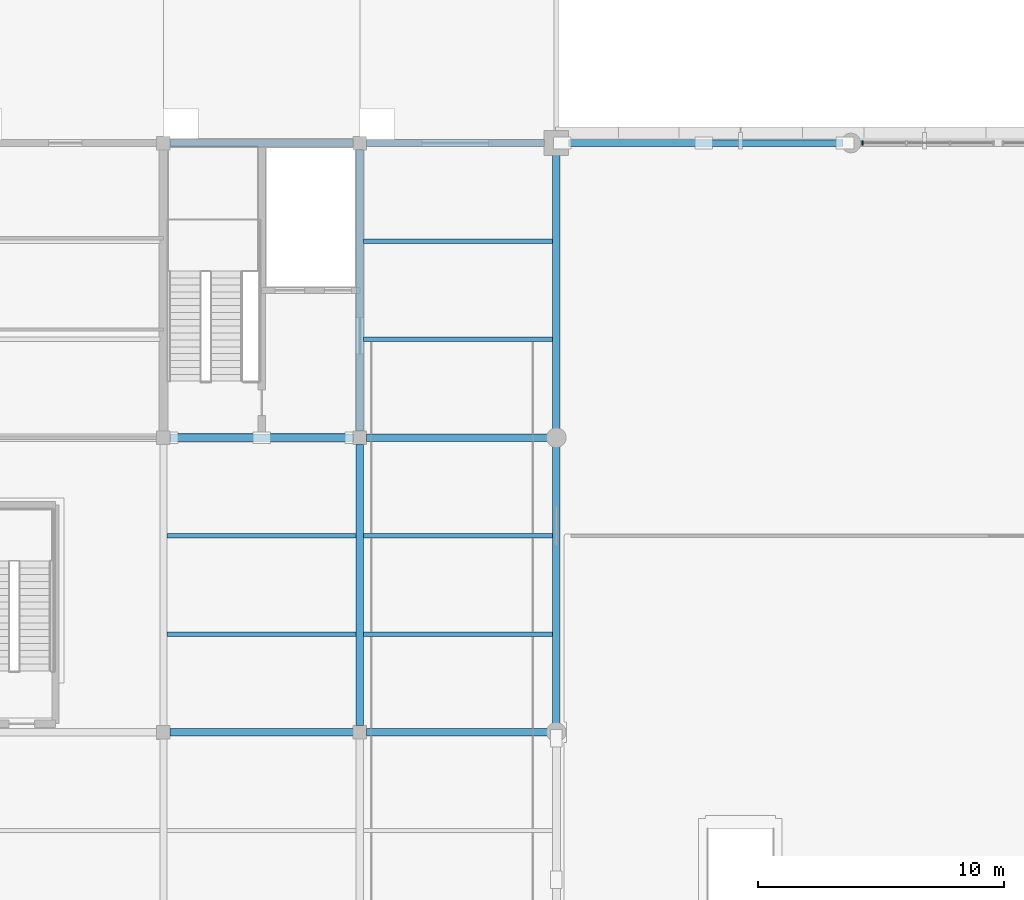
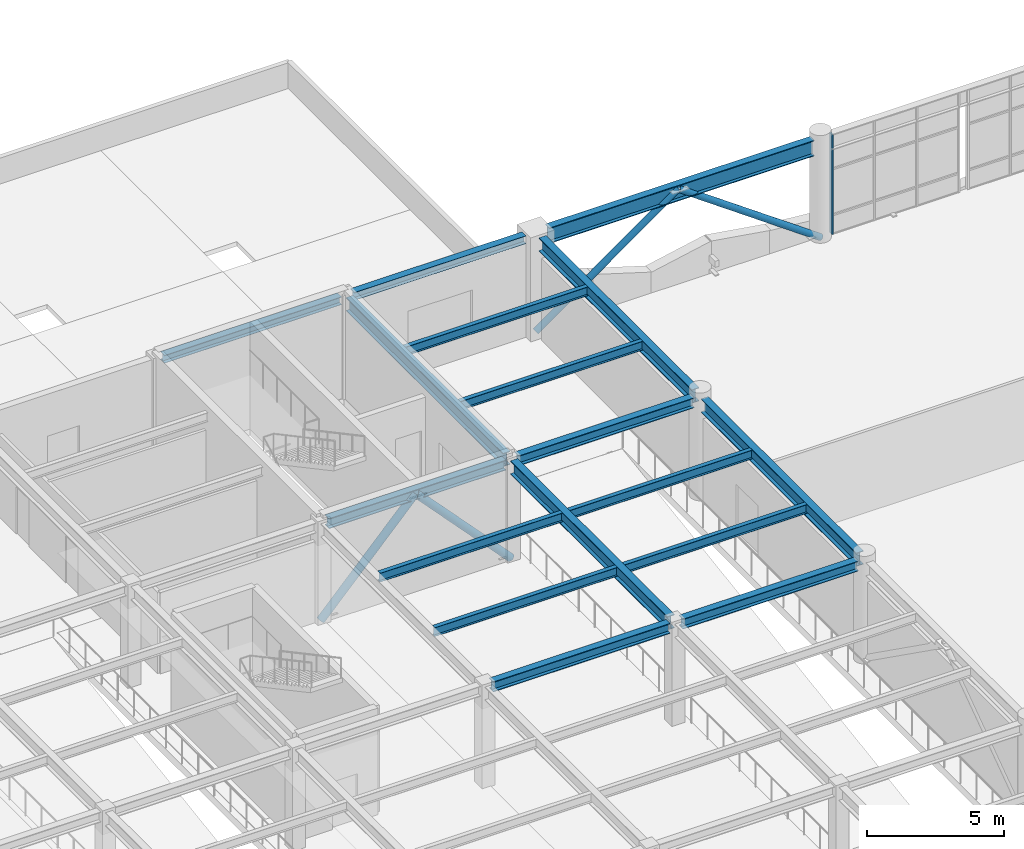
# One storey, part 21 of 72: 17 beams, 5 members, 1 element without a shape of its own.
"""IFC4 building model written with IfcOpenShell, lengths in metres."""

import ifcopenshell
import ifcopenshell.guid

model = None  # the IFC model being written
_history = None  # IfcOwnerHistory: only IFC2X3 demands one
_inside = {}  # id of a spatial element -> (the spatial element, [elements in it])
_under = {}  # id of a project, library or spatial element -> (it, [spatial elements below it])
_declared = {}  # id of a project -> (the project, [libraries it declares])
_typed = {}  # id of a type object -> (the type object, [elements of that type])
_made_of = {}  # id of a material, layer set ... -> (it, [elements and type objects made of it])


def new_model(schema):
    """Start an empty IFC model of exactly this schema.

    Asked for "IFC4X3", IfcOpenShell would pick the latest addendum, in which some entities
    have other attributes; the version numbers below select the first issue.
    IFC2X3 requires an IfcOwnerHistory on every rooted entity: one is made here for all.
    """
    global model, _history
    if schema == "IFC4X3":
        model = ifcopenshell.file(schema_version=(4, 3, 0, 0))
    else:
        model = ifcopenshell.file(schema=schema)
    _inside.clear()
    _under.clear()
    _declared.clear()
    _typed.clear()
    _made_of.clear()
    _history = None
    if model.schema == "IFC2X3":
        org = make("IfcOrganization", Name="unknown")
        user = make(
            "IfcPersonAndOrganization",
            ThePerson=make("IfcPerson", FamilyName="unknown"),
            TheOrganization=org,
        )
        app = make(
            "IfcApplication",
            ApplicationDeveloper=org,
            Version="unknown",
            ApplicationFullName="unknown",
            ApplicationIdentifier="unknown",
        )
        _history = make(
            "IfcOwnerHistory",
            OwningUser=user,
            OwningApplication=app,
            ChangeAction="ADDED",
            CreationDate=0,
        )
    return model


def make(cls, **values):
    """One entity of the class cls with the attributes given. An attribute that is None is left unset."""
    return model.create_entity(
        cls, **{name: value for name, value in values.items() if value is not None}
    )


def rooted(cls, **values):
    """An entity with a GlobalId (a new one), such as an element, a storey or a relation."""
    return make(cls, GlobalId=ifcopenshell.guid.new(), OwnerHistory=_history, **values)


def si_unit(unit_type, name, prefix=None):
    """IfcSIUnit, for example si_unit("LENGTHUNIT", "METRE", prefix="MILLI")."""
    return make("IfcSIUnit", UnitType=unit_type, Prefix=prefix, Name=name)


def assignment(units):
    """IfcUnitAssignment: the units of a project."""
    return None if units is None else make("IfcUnitAssignment", Units=units)


def point(xyz):
    """IfcCartesianPoint."""
    return None if xyz is None else make("IfcCartesianPoint", Coordinates=xyz)


def direction(xyz):
    """IfcDirection."""
    return None if xyz is None else make("IfcDirection", DirectionRatios=xyz)


def frame(location, z_axis=None, x_axis=None):
    """IfcAxis2Placement3D, a coordinate frame: its origin and axes. An axis left out is left unset."""
    return make(
        "IfcAxis2Placement3D",
        Location=point(location),
        Axis=direction(z_axis),
        RefDirection=direction(x_axis),
    )


def frame_2d(location, x_axis=None):
    """IfcAxis2Placement2D, a coordinate frame in the plane: its origin and x axis."""
    return make(
        "IfcAxis2Placement2D", Location=point(location), RefDirection=direction(x_axis)
    )


def origin():
    """The frame at (0, 0, 0) with its axes left unset."""
    return frame((0.0, 0.0, 0.0))


def origin_2d():
    """The frame at (0, 0) in the plane with its x axis left unset."""
    return frame_2d((0.0, 0.0))


def place(relative_to, where):
    """IfcLocalPlacement: puts the frame where relative to a parent placement (None: the world)."""
    return make(
        "IfcLocalPlacement", PlacementRelTo=relative_to, RelativePlacement=where
    )


def context(
    kind, dimensions, precision=None, world=None, true_north=None, identifier=None
):
    """IfcGeometricRepresentationContext, for example the 3D "Model" context."""
    return make(
        "IfcGeometricRepresentationContext",
        ContextIdentifier=identifier,
        ContextType=kind,
        CoordinateSpaceDimension=dimensions,
        Precision=precision,
        WorldCoordinateSystem=world,
        TrueNorth=true_north,
    )


def subcontext(parent, identifier, kind, view, scale=None):
    """IfcGeometricRepresentationSubContext, for example "Body" below "Model"."""
    return make(
        "IfcGeometricRepresentationSubContext",
        ContextIdentifier=identifier,
        ContextType=kind,
        ParentContext=parent,
        TargetScale=scale,
        TargetView=view,
    )


def project(units=None, contexts=None):
    """IfcProject with its units and contexts."""
    return rooted(
        "IfcProject",
        Name="project",
        RepresentationContexts=contexts,
        UnitsInContext=assignment(units),
    )


def spatial(cls, under=None, at=None, **own):
    """A site, building, storey or space (cls), placed at a placement, below another one or the project."""
    s = rooted(cls, ObjectPlacement=at, **own)
    if under is not None:
        _under.setdefault(under.id(), (under, []))[1].append(s)
    return s


def profile(cls, at=None, kind="AREA", **sizes):
    """A parametric profile (cls). Its sizes go by their IFC names, for example OverallWidth=200.0."""
    return make(cls, ProfileType=kind, Position=at, **sizes)


def rectangle(**sizes):
    """IfcRectangleProfileDef."""
    return profile("IfcRectangleProfileDef", **sizes)


def hollow_circle(**sizes):
    """IfcCircleHollowProfileDef."""
    return profile("IfcCircleHollowProfileDef", **sizes)


def i_section(**sizes):
    """IfcIShapeProfileDef."""
    return profile("IfcIShapeProfileDef", **sizes)


def extrude(swept, where, along, depth):
    """IfcExtrudedAreaSolid: the profile swept, set in the frame where, extruded along a direction by depth."""
    return make(
        "IfcExtrudedAreaSolid",
        SweptArea=swept,
        Position=where,
        ExtrudedDirection=direction(along),
        Depth=depth,
    )


def shape(context_of_items, identifier, shape_type, items):
    """IfcShapeRepresentation: the items that make up one representation, for example the "Body"."""
    return make(
        "IfcShapeRepresentation",
        ContextOfItems=context_of_items,
        RepresentationIdentifier=identifier,
        RepresentationType=shape_type,
        Items=items,
    )


def material(Name=None, Category=None):
    """IfcMaterial."""
    return make("IfcMaterial", Name=Name, Category=Category)


def layer(
    of_material, thickness, ventilated=None, Name=None, Category=None, Priority=None
):
    """IfcMaterialLayer: one layer of a wall or slab, of a material (None: an air gap)."""
    return make(
        "IfcMaterialLayer",
        Material=of_material,
        LayerThickness=thickness,
        IsVentilated=ventilated,
        Name=Name,
        Category=Category,
        Priority=Priority,
    )


def layer_set(layers, Name=None):
    """IfcMaterialLayerSet."""
    return make("IfcMaterialLayerSet", MaterialLayers=layers, LayerSetName=Name)


def material_profile(
    of_material, cross_section, Name=None, Category=None, Priority=None
):
    """IfcMaterialProfile: a cross section and its material."""
    return make(
        "IfcMaterialProfile",
        Name=Name,
        Material=of_material,
        Profile=cross_section,
        Priority=Priority,
        Category=Category,
    )


def profile_set(profiles, Name=None, composite=None):
    """IfcMaterialProfileSet."""
    return make(
        "IfcMaterialProfileSet",
        Name=Name,
        MaterialProfiles=profiles,
        CompositeProfile=composite,
    )


def made_of(thing, what):
    """Note that an element or type object is made of a material, layer set ...; save() writes the relation."""
    if what is not None:
        _made_of.setdefault(what.id(), (what, []))[1].append(thing)
    return thing


def type_object(cls, material=None, **own):
    """A type object (cls), such as IfcWallType, which elements share."""
    return made_of(rooted(cls, **own), material)


def element(
    cls,
    number,
    at=None,
    inside=None,
    cuts=None,
    type_object=None,
    material=None,
    context=None,
    identifier="Body",
    shape_type=None,
    held_by="IfcProductDefinitionShape",
    body=None,
    shapes=None,
    **own,
):
    """One element of the class cls, such as IfcWall. Its Tag is "e" and its number.

    at: its placement. inside: the storey or other place that contains it. cuts: it is an
    opening in that element (IfcRelVoidsElement). A single representation is given by context,
    identifier, shape_type and body (its items); several are given by shapes. held_by: the class
    of the entity that holds the representations. save() writes the other relations.
    """
    e = rooted(cls, Tag="e%d" % number, ObjectPlacement=at, **own)
    if body is not None:
        shapes = [shape(context, identifier, shape_type, body)]
    if shapes is not None:
        e.Representation = make(held_by, Representations=shapes)
    if inside is not None:
        _inside.setdefault(inside.id(), (inside, []))[1].append(e)
    if cuts is not None:
        rooted(
            "IfcRelVoidsElement", RelatingBuildingElement=cuts, RelatedOpeningElement=e
        )
    if type_object is not None:
        _typed.setdefault(type_object.id(), (type_object, []))[1].append(e)
    return made_of(e, material)


def aggregate(whole, parts):
    """IfcRelAggregates: a whole, such as a stair, and the parts it consists of."""
    return rooted("IfcRelAggregates", RelatingObject=whole, RelatedObjects=parts)


def save(model, path):
    """Write the relations noted so far, then the file.

    IfcRelAggregates (storeys below a building ...), IfcRelContainedInSpatialStructure (elements
    in a storey), IfcRelDefinesByType, IfcRelAssociatesMaterial and IfcRelDeclares: one each for
    every whole, place, type object, material and project.
    """
    for whole, parts in _under.values():
        aggregate(whole, parts)
    for where, things in _inside.values():
        rooted(
            "IfcRelContainedInSpatialStructure",
            RelatedElements=things,
            RelatingStructure=where,
        )
    for kind, things in _typed.values():
        rooted("IfcRelDefinesByType", RelatedObjects=things, RelatingType=kind)
    for what, things in _made_of.values():
        rooted("IfcRelAssociatesMaterial", RelatedObjects=things, RelatingMaterial=what)
    for by, libraries in _declared.values():
        rooted("IfcRelDeclares", RelatingContext=by, RelatedDefinitions=libraries)
    model.write(path)


model = new_model("IFC4")

# Units and contexts
model_context = context("Model", 3, precision=1e-05, world=origin(), true_north=direction((0.0, 1.0)))
body_context = subcontext(model_context, "Body", "Model", "MODEL_VIEW")
ifc_project = project(units=[si_unit("LENGTHUNIT", "METRE"), si_unit("AREAUNIT", "SQUARE_METRE"), si_unit("VOLUMEUNIT", "CUBIC_METRE"), si_unit("PLANEANGLEUNIT", "RADIAN"), si_unit("MASSUNIT", "GRAM", prefix="KILO")], contexts=[model_context])

# Site, building, storey
site_placement = place(None, origin())
site = spatial("IfcSite", under=ifc_project, at=site_placement, CompositionType="ELEMENT")
building_placement = place(site_placement, origin())
building = spatial("IfcBuilding", under=site, at=building_placement, Name="Keelwater Ferry Terminal", CompositionType="ELEMENT")
storey_placement = place(building_placement, frame((0.0, 0.0, 5.39990234375)))
storey = spatial("IfcBuildingStorey", under=building, at=storey_placement, Name="L01", CompositionType="ELEMENT", Elevation=5.39990234375)

# Members
ifc_material_1 = material(Name="Steel S355", Category="steel")
ifc_material_profile_1 = material_profile(ifc_material_1, hollow_circle(Radius=0.161865234375, WallThickness=0.012451171875, at=origin_2d()), Name="CHS 323.9x12.5")
ifc_profile_set_1 = profile_set([ifc_material_profile_1], Name="Steel S355")
member_type_1 = type_object("IfcMemberType", Name="BR1 CHS 323.9x12.5", PredefinedType="BRACE", material=ifc_profile_set_1)
for number, where, z_axis, x_axis, name in (
    (1, (32.0, 78.0, 0.0), (0.683655146647, 0.0, 0.729805207205), (0.0, 1.0, 0.0), "Structural Member MB-L01-0539"),
    (2, (40.0, 78.0, 0.0), (-0.683655146647, 0.0, 0.729805207205), (0.0, -1.0, 0.0), "Structural Member MB-L01-0540"),
):
    element("IfcMember", number, at=place(storey_placement, frame(where, z_axis=z_axis, x_axis=x_axis)), inside=storey, type_object=member_type_1, Name=name, PredefinedType="BRACE", context=body_context, shape_type="SweptSolid", body=[
        extrude(hollow_circle(Radius=0.161865234375, WallThickness=0.012451171875, at=origin_2d()), origin(), (0.0, 0.0, 1.0), 5.850830078125),
    ])
ifc_material_2 = material(Name="Steel S355", Category="steel")
ifc_material_profile_2 = material_profile(ifc_material_2, hollow_circle(Radius=0.136474609375, WallThickness=0.012451171875, at=origin_2d()), Name="CHS 273x12.5")
ifc_profile_set_2 = profile_set([ifc_material_profile_2], Name="Steel S355")
member_type_2 = type_object("IfcMemberType", Name="BR2 CHS 273x12.5", PredefinedType="BRACE", material=ifc_profile_set_2)
for number, where, z_axis, x_axis, name in (
    (3, (48.0, 90.0, 0.0), (0.814740243451, 0.0, 0.579826125405), (0.0, 1.0, 0.0), "Structural Member MB-L01-0545"),
    (4, (60.0, 90.0, 0.0), (-0.814740243451, 0.0, 0.579826125405), (0.0, -1.0, 0.0), "Structural Member MB-L01-0546"),
):
    element("IfcMember", number, at=place(storey_placement, frame(where, z_axis=z_axis, x_axis=x_axis)), inside=storey, type_object=member_type_2, Name=name, PredefinedType="BRACE", context=body_context, shape_type="SweptSolid", body=[
        extrude(hollow_circle(Radius=0.136474609375, WallThickness=0.012451171875, at=origin_2d()), origin(), (0.0, 0.0, 1.0), 7.3642578125),
    ])

# Curtain wall, member
ifc_material_3 = material(Name="Thermally broken unitised aluminium and triple glass", Category="aluminium")
ifc_layer = layer(ifc_material_3, 0.179931640625)
ifc_layer_set = layer_set([ifc_layer], Name="Thermally broken unitised aluminium and triple glass")
curtain_wall_type = type_object("IfcCurtainWallType", Name="CW-06 Unitised Curtain Wall 5330x4450", PredefinedType="USERDEFINED", material=ifc_layer_set)
curtain_wall_placement = place(storey_placement, origin())
curtain_wall = element("IfcCurtainWall", 5, at=curtain_wall_placement, inside=storey, type_object=curtain_wall_type, Name="Unitised Curtain Wall CW-L01-031", ObjectType="UNITISED CURTAIN WALL", PredefinedType="USERDEFINED")
ifc_material_4 = material(Name="Aluminium mullion", Category="aluminium")
ifc_material_profile_3 = material_profile(ifc_material_4, rectangle(XDim=0.06494140625, YDim=0.179931640625, at=origin_2d()), Name="CWM-01")
ifc_profile_set_3 = profile_set([ifc_material_profile_3], Name="Aluminium mullion")
member_type_3 = type_object("IfcMemberType", Name="CWM-01 Curtain Mullion 65x180", PredefinedType="MULLION", material=ifc_profile_set_3)
member_placement = place(storey_placement, frame((60.47509765625, 90.0, 0.0), z_axis=(0.0, 0.0, 1.0), x_axis=(1.0, 0.0, 0.0)))
member = element("IfcMember", 6, at=member_placement, type_object=member_type_3, Name="CW-L01-031 Mullion 1", PredefinedType="MULLION", context=body_context, shape_type="SweptSolid", body=[
    extrude(rectangle(XDim=0.06494140625, YDim=0.179931640625, at=origin_2d()), origin(), (0.0, 0.0, 1.0), 4.4501953125),
])
aggregate(curtain_wall, [member])

# Beams
ifc_material_5 = material(Name="Steel S355", Category="steel")
ifc_material_profile_4 = material_profile(ifc_material_5, i_section(OverallWidth=0.300048828125, OverallDepth=0.699951171875, WebThickness=0.01708984375, FlangeThickness=0.031982421875, at=origin_2d()), Name="HEB 700")
ifc_profile_set_4 = profile_set([ifc_material_profile_4], Name="Steel S355")
beam_type_1 = type_object("IfcBeamType", Name="G2E HEB 700", PredefinedType="BEAM", material=ifc_profile_set_4)
beam_1_placement = place(storey_placement, frame((48.489990234375, 90.0, 4.170166015625), z_axis=(1.0, 0.0, 0.0), x_axis=(0.0, 1.0, 0.0)))
element("IfcBeam", 7, at=beam_1_placement, inside=storey, type_object=beam_type_1, Name="Beam BM-L01-0671", PredefinedType="BEAM", context=body_context, shape_type="SweptSolid", body=[
    extrude(i_section(OverallWidth=0.300048828125, OverallDepth=0.699951171875, WebThickness=0.01708984375, FlangeThickness=0.031982421875, at=origin_2d()), origin(), (0.0, 0.0, 1.0), 11.18212890625),
])
ifc_material_6 = material(Name="Steel S355", Category="steel")
ifc_material_profile_5 = material_profile(ifc_material_6, i_section(OverallWidth=0.300048828125, OverallDepth=0.60009765625, WebThickness=0.015380859375, FlangeThickness=0.030029296875, at=origin_2d()), Name="HEB 600")
ifc_profile_set_5 = profile_set([ifc_material_profile_5], Name="Steel S355")
beam_type_2 = type_object("IfcBeamType", Name="G3 HEB 600", PredefinedType="BEAM", material=ifc_profile_set_5)
for number, where, z_axis, x_axis, name in (
    (8, (40.0, 66.27001953125, 4.22021484375), (0.0, 1.0, 0.0), (-1.0, 0.0, 0.0), "Beam BM-L01-0733"),
    (9, (40.0, 78.27001953125, 4.22021484375), (0.0, 1.0, 0.0), (-1.0, 0.0, 0.0), "Beam BM-L01-0734"),
):
    element("IfcBeam", number, at=place(storey_placement, frame(where, z_axis=z_axis, x_axis=x_axis)), inside=storey, type_object=beam_type_2, Name=name, PredefinedType="BEAM", context=body_context, shape_type="SweptSolid", body=[
        extrude(i_section(OverallWidth=0.300048828125, OverallDepth=0.60009765625, WebThickness=0.015380859375, FlangeThickness=0.030029296875, at=origin_2d()), origin(), (0.0, 0.0, 1.0), 11.4599609375),
    ])
ifc_material_7 = material(Name="Steel S355", Category="steel")
ifc_material_profile_6 = material_profile(ifc_material_7, i_section(OverallWidth=0.300048828125, OverallDepth=0.60009765625, WebThickness=0.015380859375, FlangeThickness=0.030029296875, at=origin_2d()), Name="HEB 600")
ifc_profile_set_6 = profile_set([ifc_material_profile_6], Name="Steel S355")
beam_type_3 = type_object("IfcBeamType", Name="G3E HEB 600", PredefinedType="BEAM", material=ifc_profile_set_6)
beam_2_placement = place(storey_placement, frame((48.0, 66.327880859375, 4.22021484375), z_axis=(0.0, 1.0, 0.0), x_axis=(-1.0, 0.0, 0.0)))
element("IfcBeam", 10, at=beam_2_placement, inside=storey, type_object=beam_type_3, Name="Beam BM-L01-0741", PredefinedType="BEAM", context=body_context, shape_type="SweptSolid", body=[
    extrude(i_section(OverallWidth=0.300048828125, OverallDepth=0.60009765625, WebThickness=0.015380859375, FlangeThickness=0.030029296875, at=origin_2d()), origin(), (0.0, 0.0, 1.0), 11.34423828125),
])
beam_3_placement = place(storey_placement, frame((48.0, 78.327880859375, 4.22021484375), z_axis=(0.0, 1.0, 0.0), x_axis=(-1.0, 0.0, 0.0)))
element("IfcBeam", 11, at=beam_3_placement, inside=storey, type_object=beam_type_3, Name="Beam BM-L01-0742", PredefinedType="BEAM", context=body_context, shape_type="SweptSolid", body=[
    extrude(i_section(OverallWidth=0.300048828125, OverallDepth=0.60009765625, WebThickness=0.015380859375, FlangeThickness=0.030029296875, at=origin_2d()), origin(), (0.0, 0.0, 1.0), 11.18212890625),
])
ifc_material_8 = material(Name="Steel S355", Category="steel")
ifc_material_profile_7 = material_profile(ifc_material_8, i_section(OverallWidth=0.300048828125, OverallDepth=0.449951171875, WebThickness=0.013916015625, FlangeThickness=0.02587890625, at=origin_2d()), Name="HEB 450")
ifc_profile_set_7 = profile_set([ifc_material_profile_7], Name="Steel S355")
beam_type_4 = type_object("IfcBeamType", Name="G6 HEB 450", PredefinedType="BEAM", material=ifc_profile_set_7)
beam_4_placement = place(storey_placement, frame((32.27001953125, 66.0, 4.295166015625), z_axis=(1.0, 0.0, 0.0), x_axis=(0.0, 1.0, 0.0)))
element("IfcBeam", 12, at=beam_4_placement, inside=storey, type_object=beam_type_4, Name="Beam BM-L01-0649", PredefinedType="BEAM", context=body_context, shape_type="SweptSolid", body=[
    extrude(i_section(OverallWidth=0.300048828125, OverallDepth=0.449951171875, WebThickness=0.013916015625, FlangeThickness=0.02587890625, at=origin_2d()), origin(), (0.0, 0.0, 1.0), 7.4599609375),
])
beam_5_placement = place(storey_placement, frame((40.27001953125, 66.0, 4.295166015625), z_axis=(1.0, 0.0, 0.0), x_axis=(0.0, 1.0, 0.0)))
element("IfcBeam", 13, at=beam_5_placement, inside=storey, type_object=beam_type_4, Name="Beam BM-L01-0650", PredefinedType="BEAM", context=body_context, shape_type="SweptSolid", body=[
    extrude(i_section(OverallWidth=0.300048828125, OverallDepth=0.449951171875, WebThickness=0.013916015625, FlangeThickness=0.02587890625, at=origin_2d()), origin(), (0.0, 0.0, 1.0), 7.402099609375),
])
beam_6_placement = place(storey_placement, frame((32.27001953125, 78.0, 4.295166015625), z_axis=(1.0, 0.0, 0.0), x_axis=(0.0, 1.0, 0.0)))
element("IfcBeam", 14, at=beam_6_placement, inside=storey, type_object=beam_type_4, Name="Beam BM-L01-0660", PredefinedType="BEAM", context=body_context, shape_type="SweptSolid", body=[
    extrude(i_section(OverallWidth=0.300048828125, OverallDepth=0.449951171875, WebThickness=0.013916015625, FlangeThickness=0.02587890625, at=origin_2d()), origin(), (0.0, 0.0, 1.0), 7.4599609375),
])
beam_7_placement = place(storey_placement, frame((40.27001953125, 78.0, 4.295166015625), z_axis=(1.0, 0.0, 0.0), x_axis=(0.0, 1.0, 0.0)))
element("IfcBeam", 15, at=beam_7_placement, inside=storey, type_object=beam_type_4, Name="Beam BM-L01-0661", PredefinedType="BEAM", context=body_context, shape_type="SweptSolid", body=[
    extrude(i_section(OverallWidth=0.300048828125, OverallDepth=0.449951171875, WebThickness=0.013916015625, FlangeThickness=0.02587890625, at=origin_2d()), origin(), (0.0, 0.0, 1.0), 7.402099609375),
])
ifc_material_9 = material(Name="Steel S355", Category="steel")
ifc_material_profile_8 = material_profile(ifc_material_9, i_section(OverallWidth=0.179931640625, OverallDepth=0.39990234375, WebThickness=0.008544921875, FlangeThickness=0.013427734375, at=origin_2d()), Name="IPE 400")
ifc_profile_set_8 = profile_set([ifc_material_profile_8], Name="Steel S355")
beam_type_5 = type_object("IfcBeamType", Name="J5 IPE 400", PredefinedType="JOIST", material=ifc_profile_set_8)
for number, where, z_axis, x_axis, name in (
    (16, (32.14990234375, 70.0, 4.320068359375), (1.0, 0.0, 0.0), (0.0, 1.0, 0.0), "Beam BM-L01-0837"),
    (17, (32.14990234375, 74.0, 4.320068359375), (1.0, 0.0, 0.0), (0.0, 1.0, 0.0), "Beam BM-L01-0838"),
    (18, (40.14990234375, 70.0, 4.320068359375), (1.0, 0.0, 0.0), (0.0, 1.0, 0.0), "Beam BM-L01-0849"),
    (19, (40.14990234375, 74.0, 4.320068359375), (1.0, 0.0, 0.0), (0.0, 1.0, 0.0), "Beam BM-L01-0850"),
    (20, (40.14990234375, 82.0, 4.320068359375), (1.0, 0.0, 0.0), (0.0, 1.0, 0.0), "Beam BM-L01-0851"),
    (21, (40.14990234375, 86.0, 4.320068359375), (1.0, 0.0, 0.0), (0.0, 1.0, 0.0), "Beam BM-L01-0852"),
):
    element("IfcBeam", number, at=place(storey_placement, frame(where, z_axis=z_axis, x_axis=x_axis)), inside=storey, type_object=beam_type_5, Name=name, PredefinedType="JOIST", context=body_context, shape_type="SweptSolid", body=[
        extrude(i_section(OverallWidth=0.179931640625, OverallDepth=0.39990234375, WebThickness=0.008544921875, FlangeThickness=0.013427734375, at=origin_2d()), origin(), (0.0, 0.0, 1.0), 7.7001953125),
    ])
ifc_material_10 = material(Name="Steel S355", Category="steel")
ifc_material_profile_9 = material_profile(ifc_material_10, i_section(OverallWidth=0.300048828125, OverallDepth=0.35009765625, WebThickness=0.010009765625, FlangeThickness=0.017578125, at=origin_2d()), Name="HEA 360")
ifc_profile_set_9 = profile_set([ifc_material_profile_9], Name="Steel S355")
beam_type_6 = type_object("IfcBeamType", Name="SP1E HEA 360", PredefinedType="SPANDREL", material=ifc_profile_set_9)
beam_8_placement = place(storey_placement, frame((32.27001953125, 90.0, 4.34521484375), z_axis=(1.0, 0.0, 0.0), x_axis=(0.0, 1.0, 0.0)))
element("IfcBeam", 22, at=beam_8_placement, inside=storey, type_object=beam_type_6, Name="Beam BM-L01-0669", PredefinedType="SPANDREL", context=body_context, shape_type="SweptSolid", body=[
    extrude(i_section(OverallWidth=0.300048828125, OverallDepth=0.35009765625, WebThickness=0.010009765625, FlangeThickness=0.017578125, at=origin_2d()), origin(), (0.0, 0.0, 1.0), 7.4599609375),
])
beam_9_placement = place(storey_placement, frame((40.27001953125, 90.0, 4.34521484375), z_axis=(1.0, 0.0, 0.0), x_axis=(0.0, 1.0, 0.0)))
element("IfcBeam", 23, at=beam_9_placement, inside=storey, type_object=beam_type_6, Name="Beam BM-L01-0670", PredefinedType="SPANDREL", context=body_context, shape_type="SweptSolid", body=[
    extrude(i_section(OverallWidth=0.300048828125, OverallDepth=0.35009765625, WebThickness=0.010009765625, FlangeThickness=0.017578125, at=origin_2d()), origin(), (0.0, 0.0, 1.0), 7.239990234375),
])

save(model, "model.ifc")
